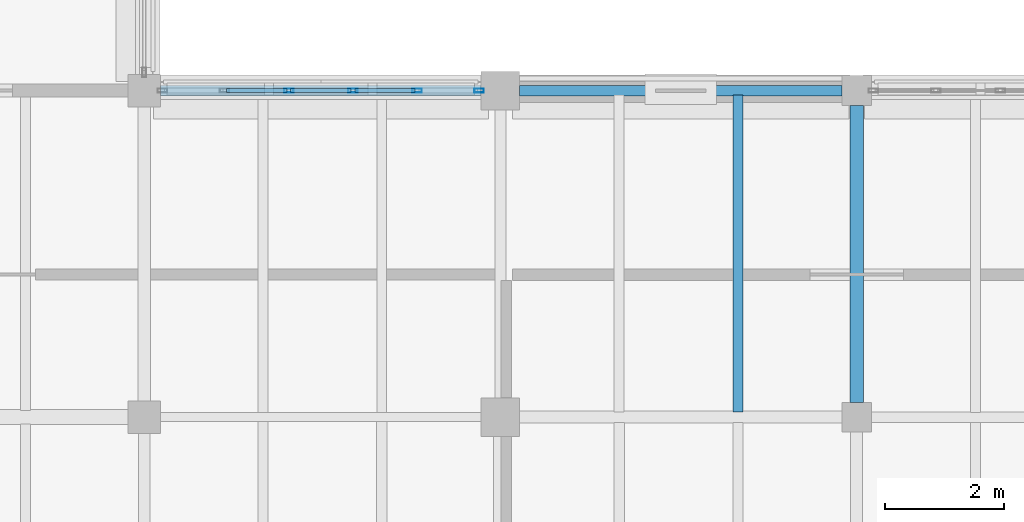
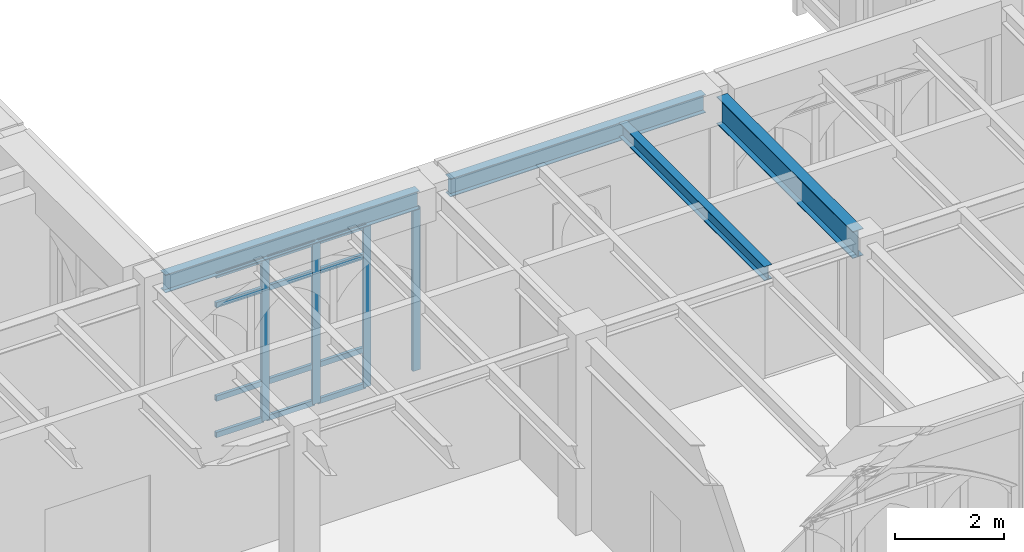
# One storey, part 30 of 143: 16 members, 4 beams, 1 element without a shape of its own.
"""IFC4 building model written with IfcOpenShell, lengths in metres."""

from ifc_helpers import new_model, si_unit, direction, frame, origin, origin_2d, place, context, subcontext, project, spatial, hollow_rectangle, i_section, extrude, material, layer, layer_set, material_profile, profile_set, type_object, element, aggregate, save


model = new_model("IFC4")

# Units and contexts
model_context = context("Model", 3, precision=1e-05, world=origin(), true_north=direction((0.0, 1.0)))
body_context = subcontext(model_context, "Body", "Model", "MODEL_VIEW")
ifc_project = project(units=[si_unit("LENGTHUNIT", "METRE"), si_unit("AREAUNIT", "SQUARE_METRE"), si_unit("VOLUMEUNIT", "CUBIC_METRE"), si_unit("PLANEANGLEUNIT", "RADIAN"), si_unit("MASSUNIT", "GRAM", prefix="KILO")], contexts=[model_context])

# Site, building, storey
site_placement = place(None, origin())
site = spatial("IfcSite", under=ifc_project, at=site_placement, CompositionType="ELEMENT")
building_placement = place(site_placement, origin())
building = spatial("IfcBuilding", under=site, at=building_placement, Name="Cumevento Cable Car Station", CompositionType="ELEMENT")
storey_placement = place(building_placement, frame((0.0, 0.0, 9.0)))
storey = spatial("IfcBuildingStorey", under=building, at=storey_placement, Name="L03", CompositionType="ELEMENT", Elevation=9.0)

# Curtain wall, members
ifc_material_1 = material(Name="Anodised Bronze Aluminium AW-6063-T6", Category="aluminium")
ifc_layer = layer(ifc_material_1, 0.166015625)
ifc_layer_set = layer_set([ifc_layer], Name="Anodised Bronze Aluminium AW-6063-T6")
curtain_wall_type = type_object("IfcCurtainWallType", Name="Lancet Curtain Wall CW-02 1090", PredefinedType="NOTDEFINED", material=ifc_layer_set)
curtain_wall_placement = place(storey_placement, origin())
curtain_wall = element("IfcCurtainWall", 1, at=curtain_wall_placement, inside=storey, type_object=curtain_wall_type, Name="Lancet Curtain Wall CW-02 L03 #97", PredefinedType="NOTDEFINED")
ifc_material_2 = material(Name="Anodised Bronze Aluminium AW-6063-T6", Category="aluminium")
ifc_material_profile_1 = material_profile(ifc_material_2, hollow_rectangle(XDim=0.06494140625, YDim=0.159912109375, WallThickness=0.00390625, at=origin_2d()), Name="ALUM65x160x4")
ifc_profile_set_1 = profile_set([ifc_material_profile_1], Name="Anodised Bronze Aluminium AW-6063-T6")
member_type_1 = type_object("IfcMemberType", Name="Curtain Mullion CWM-01 ALUM65x160x4", PredefinedType="MULLION", material=ifc_profile_set_1)
member_1_placement = place(storey_placement, frame((36.43505859375, 56.5, 0.2099609375), z_axis=(0.0, 0.0, 1.0), x_axis=(0.0, 1.0, 0.0)))
member_1 = element("IfcMember", 2, at=member_1_placement, type_object=member_type_1, Name="CW-02 mullion 3", PredefinedType="MULLION", context=body_context, shape_type="SweptSolid", body=[
    extrude(hollow_rectangle(XDim=0.06494140625, YDim=0.159912109375, WallThickness=0.00390625, at=origin_2d()), origin(), (0.0, 0.0, 1.0), 3.64697265625),
])
member_2_placement = place(storey_placement, frame((37.514892578125, 56.5, 0.2099609375), z_axis=(0.0, 0.0, 1.0), x_axis=(0.0, 1.0, 0.0)))
member_2 = element("IfcMember", 3, at=member_2_placement, type_object=member_type_1, Name="CW-02 mullion 4", PredefinedType="MULLION", context=body_context, shape_type="SweptSolid", body=[
    extrude(hollow_rectangle(XDim=0.06494140625, YDim=0.159912109375, WallThickness=0.00390625, at=origin_2d()), origin(), (0.0, 0.0, 1.0), 3.64697265625),
])
member_3_placement = place(storey_placement, frame((38.594970703125, 56.5, 0.2099609375), z_axis=(0.0, 0.0, 1.0), x_axis=(0.0, 1.0, 0.0)))
member_3 = element("IfcMember", 4, at=member_3_placement, type_object=member_type_1, Name="CW-02 mullion 5", PredefinedType="MULLION", context=body_context, shape_type="SweptSolid", body=[
    extrude(hollow_rectangle(XDim=0.06494140625, YDim=0.159912109375, WallThickness=0.00390625, at=origin_2d()), origin(), (0.0, 0.0, 1.0), 3.64697265625),
])
member_4_placement = place(storey_placement, frame((39.642578125, 56.5, 0.2099609375), z_axis=(0.0, 0.0, 1.0), x_axis=(0.0, 1.0, 0.0)))
member_4 = element("IfcMember", 5, at=member_4_placement, type_object=member_type_1, Name="CW-02 mullion 6", PredefinedType="MULLION", context=body_context, shape_type="SweptSolid", body=[
    extrude(hollow_rectangle(XDim=0.06494140625, YDim=0.159912109375, WallThickness=0.00390625, at=origin_2d()), origin(), (0.0, 0.0, 1.0), 3.64697265625),
])
ifc_material_3 = material(Name="Anodised Bronze Aluminium AW-6063-T6", Category="aluminium")
ifc_material_profile_2 = material_profile(ifc_material_3, hollow_rectangle(XDim=0.06494140625, YDim=0.1201171875, WallThickness=0.00390625, at=origin_2d()), Name="ALUT65x120x4")
ifc_profile_set_2 = profile_set([ifc_material_profile_2], Name="Anodised Bronze Aluminium AW-6063-T6")
member_type_2 = type_object("IfcMemberType", Name="Curtain Transom CWT-01 ALUT65x120x4", PredefinedType="USERDEFINED", material=ifc_profile_set_2)
member_5_placement = place(storey_placement, frame((35.387451171875, 56.5, 0.242431640625), z_axis=(1.0, 0.0, 0.0), x_axis=(0.0, 1.0, 0.0)))
member_5 = element("IfcMember", 6, at=member_5_placement, type_object=member_type_2, Name="CW-02 transom 2.1", ObjectType="TRANSOM", PredefinedType="USERDEFINED", context=body_context, shape_type="SweptSolid", body=[
    extrude(hollow_rectangle(XDim=0.06494140625, YDim=0.1201171875, WallThickness=0.00390625, at=origin_2d()), origin(), (0.0, 0.0, 1.0), 1.01513671875),
])
member_6_placement = place(storey_placement, frame((35.387451171875, 56.5, 1.06005859375), z_axis=(1.0, 0.0, 0.0), x_axis=(0.0, 1.0, 0.0)))
member_6 = element("IfcMember", 7, at=member_6_placement, type_object=member_type_2, Name="CW-02 transom 2.2", ObjectType="TRANSOM", PredefinedType="USERDEFINED", context=body_context, shape_type="SweptSolid", body=[
    extrude(hollow_rectangle(XDim=0.06494140625, YDim=0.1201171875, WallThickness=0.00390625, at=origin_2d()), origin(), (0.0, 0.0, 1.0), 1.01513671875),
])
member_7_placement = place(storey_placement, frame((35.387451171875, 56.5, 3.156982421875), z_axis=(1.0, 0.0, 0.0), x_axis=(0.0, 1.0, 0.0)))
member_7 = element("IfcMember", 8, at=member_7_placement, type_object=member_type_2, Name="CW-02 transom 2.3", ObjectType="TRANSOM", PredefinedType="USERDEFINED", context=body_context, shape_type="SweptSolid", body=[
    extrude(hollow_rectangle(XDim=0.06494140625, YDim=0.1201171875, WallThickness=0.00390625, at=origin_2d()), origin(), (0.0, 0.0, 1.0), 1.01513671875),
])
member_8_placement = place(storey_placement, frame((35.387451171875, 56.5, 3.824462890625), z_axis=(1.0, 0.0, 0.0), x_axis=(0.0, 1.0, 0.0)))
member_8 = element("IfcMember", 9, at=member_8_placement, type_object=member_type_2, Name="CW-02 transom 2.4", ObjectType="TRANSOM", PredefinedType="USERDEFINED", context=body_context, shape_type="SweptSolid", body=[
    extrude(hollow_rectangle(XDim=0.06494140625, YDim=0.1201171875, WallThickness=0.00390625, at=origin_2d()), origin(), (0.0, 0.0, 1.0), 1.01513671875),
])
member_9_placement = place(storey_placement, frame((36.467529296875, 56.5, 0.242431640625), z_axis=(1.0, 0.0, 0.0), x_axis=(0.0, 1.0, 0.0)))
member_9 = element("IfcMember", 10, at=member_9_placement, type_object=member_type_2, Name="CW-02 transom 3.1", ObjectType="TRANSOM", PredefinedType="USERDEFINED", context=body_context, shape_type="SweptSolid", body=[
    extrude(hollow_rectangle(XDim=0.06494140625, YDim=0.1201171875, WallThickness=0.00390625, at=origin_2d()), origin(), (0.0, 0.0, 1.0), 1.014892578125),
])
member_10_placement = place(storey_placement, frame((36.467529296875, 56.5, 1.06005859375), z_axis=(1.0, 0.0, 0.0), x_axis=(0.0, 1.0, 0.0)))
member_10 = element("IfcMember", 11, at=member_10_placement, type_object=member_type_2, Name="CW-02 transom 3.2", ObjectType="TRANSOM", PredefinedType="USERDEFINED", context=body_context, shape_type="SweptSolid", body=[
    extrude(hollow_rectangle(XDim=0.06494140625, YDim=0.1201171875, WallThickness=0.00390625, at=origin_2d()), origin(), (0.0, 0.0, 1.0), 1.014892578125),
])
member_11_placement = place(storey_placement, frame((36.467529296875, 56.5, 3.156982421875), z_axis=(1.0, 0.0, 0.0), x_axis=(0.0, 1.0, 0.0)))
member_11 = element("IfcMember", 12, at=member_11_placement, type_object=member_type_2, Name="CW-02 transom 3.3", ObjectType="TRANSOM", PredefinedType="USERDEFINED", context=body_context, shape_type="SweptSolid", body=[
    extrude(hollow_rectangle(XDim=0.06494140625, YDim=0.1201171875, WallThickness=0.00390625, at=origin_2d()), origin(), (0.0, 0.0, 1.0), 1.014892578125),
])
member_12_placement = place(storey_placement, frame((36.467529296875, 56.5, 3.824462890625), z_axis=(1.0, 0.0, 0.0), x_axis=(0.0, 1.0, 0.0)))
member_12 = element("IfcMember", 13, at=member_12_placement, type_object=member_type_2, Name="CW-02 transom 3.4", ObjectType="TRANSOM", PredefinedType="USERDEFINED", context=body_context, shape_type="SweptSolid", body=[
    extrude(hollow_rectangle(XDim=0.06494140625, YDim=0.1201171875, WallThickness=0.00390625, at=origin_2d()), origin(), (0.0, 0.0, 1.0), 1.014892578125),
])
member_13_placement = place(storey_placement, frame((37.547607421875, 56.5, 0.242431640625), z_axis=(1.0, 0.0, 0.0), x_axis=(0.0, 1.0, 0.0)))
member_13 = element("IfcMember", 14, at=member_13_placement, type_object=member_type_2, Name="CW-02 transom 4.1", ObjectType="TRANSOM", PredefinedType="USERDEFINED", context=body_context, shape_type="SweptSolid", body=[
    extrude(hollow_rectangle(XDim=0.06494140625, YDim=0.1201171875, WallThickness=0.00390625, at=origin_2d()), origin(), (0.0, 0.0, 1.0), 1.014892578125),
])
member_14_placement = place(storey_placement, frame((37.547607421875, 56.5, 1.06005859375), z_axis=(1.0, 0.0, 0.0), x_axis=(0.0, 1.0, 0.0)))
member_14 = element("IfcMember", 15, at=member_14_placement, type_object=member_type_2, Name="CW-02 transom 4.2", ObjectType="TRANSOM", PredefinedType="USERDEFINED", context=body_context, shape_type="SweptSolid", body=[
    extrude(hollow_rectangle(XDim=0.06494140625, YDim=0.1201171875, WallThickness=0.00390625, at=origin_2d()), origin(), (0.0, 0.0, 1.0), 1.014892578125),
])
member_15_placement = place(storey_placement, frame((37.547607421875, 56.5, 3.156982421875), z_axis=(1.0, 0.0, 0.0), x_axis=(0.0, 1.0, 0.0)))
member_15 = element("IfcMember", 16, at=member_15_placement, type_object=member_type_2, Name="CW-02 transom 4.3", ObjectType="TRANSOM", PredefinedType="USERDEFINED", context=body_context, shape_type="SweptSolid", body=[
    extrude(hollow_rectangle(XDim=0.06494140625, YDim=0.1201171875, WallThickness=0.00390625, at=origin_2d()), origin(), (0.0, 0.0, 1.0), 1.014892578125),
])
member_16_placement = place(storey_placement, frame((37.547607421875, 56.5, 3.824462890625), z_axis=(1.0, 0.0, 0.0), x_axis=(0.0, 1.0, 0.0)))
member_16 = element("IfcMember", 17, at=member_16_placement, type_object=member_type_2, Name="CW-02 transom 4.4", ObjectType="TRANSOM", PredefinedType="USERDEFINED", context=body_context, shape_type="SweptSolid", body=[
    extrude(hollow_rectangle(XDim=0.06494140625, YDim=0.1201171875, WallThickness=0.00390625, at=origin_2d()), origin(), (0.0, 0.0, 1.0), 1.014892578125),
])
aggregate(curtain_wall, [member_1, member_2, member_3, member_4, member_5, member_6, member_7, member_8, member_9, member_10, member_11, member_12, member_13, member_14, member_15, member_16])

# Beams
ifc_material_4 = material(Name="Steel ASTM A572 Grade 50", Category="steel")
ifc_material_profile_3 = material_profile(ifc_material_4, i_section(OverallWidth=0.22802734375, OverallDepth=0.60791015625, WebThickness=0.01123046875, FlangeThickness=0.017333984375, at=origin_2d()), Name="W610x113.0")
ifc_profile_set_3 = profile_set([ifc_material_profile_3], Name="Steel ASTM A572 Grade 50")
beam_type_1 = type_object("IfcBeamType", Name="Structural Beam BM-02 W610x113.0", PredefinedType="BEAM", material=ifc_profile_set_3)
beam_1_placement = place(storey_placement, frame((46.0, 51.25, 3.99609375), z_axis=(0.0, 1.0, 0.0), x_axis=(-1.0, 0.0, 0.0)))
element("IfcBeam", 18, at=beam_1_placement, inside=storey, type_object=beam_type_1, Name="Beam BM-02 L03 #1045", PredefinedType="BEAM", context=body_context, shape_type="SweptSolid", body=[
    extrude(i_section(OverallWidth=0.22802734375, OverallDepth=0.60791015625, WebThickness=0.01123046875, FlangeThickness=0.017333984375, at=origin_2d()), origin(), (0.0, 0.0, 1.0), 5.0),
])
ifc_material_5 = material(Name="Steel ASTM A572 Grade 50", Category="steel")
ifc_material_profile_4 = material_profile(ifc_material_5, i_section(OverallWidth=0.1669921875, OverallDepth=0.31689453125, WebThickness=0.007568359375, FlangeThickness=0.01318359375, at=origin_2d()), Name="W310x52.0")
ifc_profile_set_4 = profile_set([ifc_material_profile_4], Name="Steel ASTM A572 Grade 50")
beam_type_2 = type_object("IfcBeamType", Name="Structural Joist JS-02 W310x52.0", PredefinedType="JOIST", material=ifc_profile_set_4)
beam_2_placement = place(storey_placement, frame((44.0, 51.089599609375, 4.1416015625), z_axis=(0.0, 1.0, 0.0), x_axis=(-1.0, 0.0, 0.0)))
element("IfcBeam", 19, at=beam_2_placement, inside=storey, type_object=beam_type_2, Name="Composite Floor Joist JS-02 L03 #1233", PredefinedType="JOIST", context=body_context, shape_type="SweptSolid", body=[
    extrude(i_section(OverallWidth=0.1669921875, OverallDepth=0.31689453125, WebThickness=0.007568359375, FlangeThickness=0.01318359375, at=origin_2d()), origin(), (0.0, 0.0, 1.0), 5.33349609375),
])
ifc_material_6 = material(Name="Steel ASTM A572 Grade 50", Category="steel")
ifc_material_profile_5 = material_profile(ifc_material_6, i_section(OverallWidth=0.177978515625, OverallDepth=0.406982421875, WebThickness=0.0078125, FlangeThickness=0.0126953125, at=origin_2d()), Name="W410x60.0")
ifc_profile_set_5 = profile_set([ifc_material_profile_5], Name="Steel ASTM A572 Grade 50")
beam_type_3 = type_object("IfcBeamType", Name="Structural Spandrel SP-01 W410x60.0", PredefinedType="SPANDREL", material=ifc_profile_set_5)
beam_3_placement = place(storey_placement, frame((34.27490234375, 56.5, 4.060546875), z_axis=(1.0, 0.0, 0.0), x_axis=(0.0, 1.0, 0.0)))
element("IfcBeam", 20, at=beam_3_placement, inside=storey, type_object=beam_type_3, Name="Beam SP-01 L03 #1033", PredefinedType="SPANDREL", context=body_context, shape_type="SweptSolid", body=[
    extrude(i_section(OverallWidth=0.177978515625, OverallDepth=0.406982421875, WebThickness=0.0078125, FlangeThickness=0.0126953125, at=origin_2d()), origin(), (0.0, 0.0, 1.0), 5.400146484375),
])
beam_4_placement = place(storey_placement, frame((40.324951171875, 56.5, 4.096435546875), z_axis=(1.0, 0.0, 0.0), x_axis=(0.0, 1.0, 0.0)))
element("IfcBeam", 21, at=beam_4_placement, inside=storey, type_object=beam_type_3, Name="Beam SP-01 L03 #1034", PredefinedType="SPANDREL", context=body_context, shape_type="SweptSolid", body=[
    extrude(i_section(OverallWidth=0.177978515625, OverallDepth=0.406982421875, WebThickness=0.0078125, FlangeThickness=0.0126953125, at=origin_2d()), origin(), (0.0, 0.0, 1.0), 5.425048828125),
])

save(model, "model.ifc")
